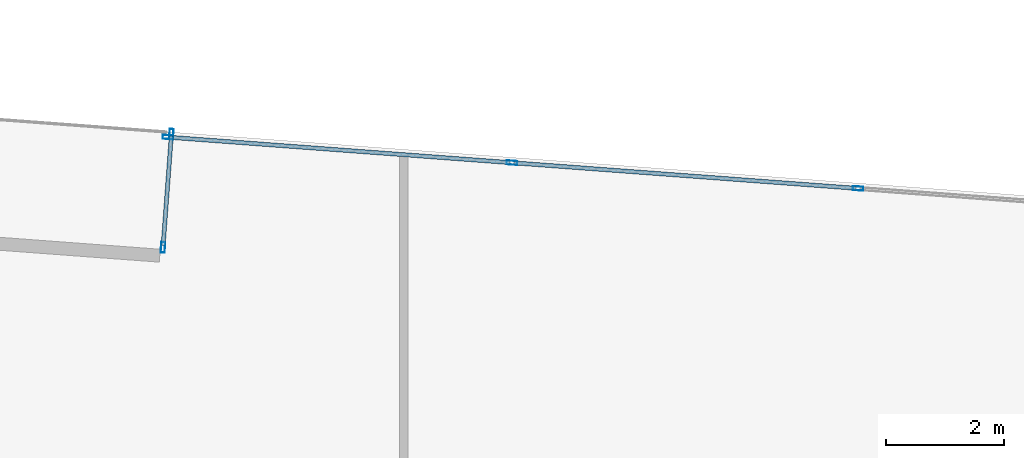
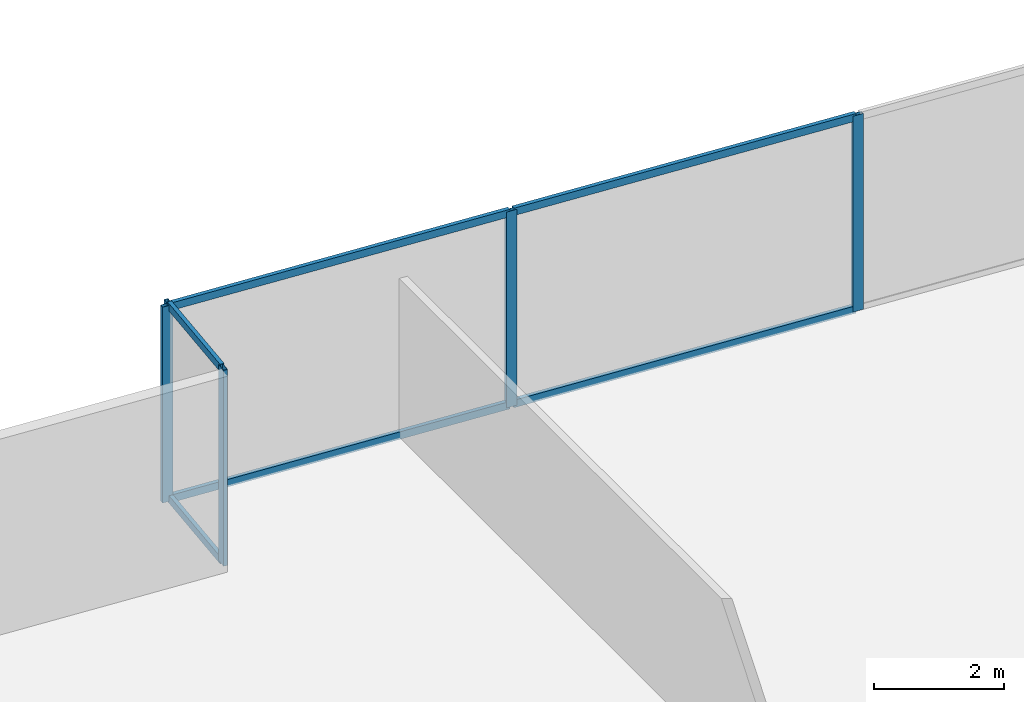
# One storey, part 23 of 30: 11 members, 2 elements without a shape of their own.
"""IFC4 building model written with IfcOpenShell, lengths in metres."""

from ifc_helpers import new_model, si_unit, direction, frame, origin, origin_2d, place, context, subcontext, project, spatial, hollow_rectangle, extrude, source, transform, mapped, material, material_profile, profile_set, type_object, type_shapes, element, aggregate, save


model = new_model("IFC4")

# Units and contexts
model_context = context("Model", 3, precision=1e-05, world=origin(), true_north=direction((0.0, 1.0)))
body_context = subcontext(model_context, "Body", "Model", "MODEL_VIEW")
ifc_project = project(units=[si_unit("LENGTHUNIT", "METRE"), si_unit("AREAUNIT", "SQUARE_METRE"), si_unit("VOLUMEUNIT", "CUBIC_METRE"), si_unit("PLANEANGLEUNIT", "RADIAN"), si_unit("MASSUNIT", "GRAM", prefix="KILO")], contexts=[model_context])

# Site, building, storey
site_placement = place(None, origin())
site = spatial("IfcSite", under=ifc_project, at=site_placement, CompositionType="ELEMENT")
building_placement = place(site_placement, origin())
building = spatial("IfcBuilding", under=site, at=building_placement, Name="Krantzveldt Concourse Tower", CompositionType="ELEMENT")
storey_placement = place(building_placement, frame((0.0, 0.0, 48.699951171875)))
storey = spatial("IfcBuildingStorey", under=building, at=storey_placement, Name="L11", CompositionType="ELEMENT", Elevation=48.699951171875)

# Curtain wall, members
ifc_material = material(Name="Anodised aluminium 6063-T6", Category="aluminium")
curtain_wall_type_1 = type_object("IfcCurtainWallType", Name="CW2", PredefinedType="USERDEFINED", material=ifc_material)
curtain_wall_1_placement = place(storey_placement, origin())
curtain_wall_1 = element("IfcCurtainWall", 1, at=curtain_wall_1_placement, inside=storey, type_object=curtain_wall_type_1, Name="CW-L11-F10", ObjectType="UNITISED CURTAIN WALL", PredefinedType="USERDEFINED")
ifc_material_profile_1 = material_profile(ifc_material, hollow_rectangle(XDim=0.070068359375, YDim=0.179931640625, WallThickness=0.0048828125, at=origin_2d()), Name="Anodised aluminium 6063-T6", Category="aluminium")
ifc_profile_set_1 = profile_set([ifc_material_profile_1], Name="Anodised aluminium 6063-T6 - ALU-MULL 180x70x5")
member_type_1 = type_object("IfcMemberType", Name="CW-MUL-180", PredefinedType="MULLION", material=ifc_profile_set_1)
shared_shape_1 = source(origin(), body_context, "Body", "SweptSolid", [
    extrude(hollow_rectangle(XDim=0.070068359375, YDim=0.179931640625, WallThickness=0.0048828125, at=origin_2d()), origin(), (0.0, 0.0, 1.0), 3.670166015625),
])
type_shapes(member_type_1, [shared_shape_1])
member_1_placement = place(storey_placement, frame((53.403076171875, 50.385498046875, 0.0), z_axis=(0.0, 0.0, 1.0), x_axis=(-0.074108467464, -0.997250186789, 0.0)))
member_1 = element("IfcMember", 2, at=member_1_placement, type_object=member_type_1, Name="CW-Z12 mullion 2", PredefinedType="MULLION", context=body_context, shape_type="MappedRepresentation", body=[
    mapped(shared_shape_1, transform((0.0, 0.0, 0.0), x_axis=(1.0, 0.0, 0.0), y_axis=(0.0, 1.0, 0.0), z_axis=(0.0, 0.0, 1.0), scale=1.0)),
])
member_2_placement = place(storey_placement, frame((47.519287109375, 50.82275390625, 0.0), z_axis=(0.0, 0.0, 1.0), x_axis=(-0.074108467464, -0.997250186789, 0.0)))
member_2 = element("IfcMember", 3, at=member_2_placement, type_object=member_type_1, Name="CW-Z12 mullion 3", PredefinedType="MULLION", context=body_context, shape_type="MappedRepresentation", body=[
    mapped(shared_shape_1, transform((0.0, 0.0, 0.0), x_axis=(1.0, 0.0, 0.0), y_axis=(0.0, 1.0, 0.0), z_axis=(0.0, 0.0, 1.0), scale=1.0)),
])
member_3_placement = place(storey_placement, frame((41.67041015625, 51.25732421875, 0.0), z_axis=(0.0, 0.0, 1.0), x_axis=(-0.074108467464, -0.997250186789, 0.0)))
member_3 = element("IfcMember", 4, at=member_3_placement, type_object=member_type_1, Name="CW-Z12 mullion 4", PredefinedType="MULLION", context=body_context, shape_type="MappedRepresentation", body=[
    mapped(shared_shape_1, transform((0.0, 0.0, 0.0), x_axis=(1.0, 0.0, 0.0), y_axis=(0.0, 1.0, 0.0), z_axis=(0.0, 0.0, 1.0), scale=1.0)),
])

curtain_wall_type_2 = type_object("IfcCurtainWallType", Name="CW6", PredefinedType="USERDEFINED", material=ifc_material)
curtain_wall_2_placement = place(storey_placement, origin())
curtain_wall_2 = element("IfcCurtainWall", 5, at=curtain_wall_2_placement, inside=storey, type_object=curtain_wall_type_2, Name="CW-L11-TR11", ObjectType="UNITISED CURTAIN WALL", PredefinedType="USERDEFINED")
member_4_placement = place(storey_placement, frame((41.7294921875, 51.30810546875, 0.0), z_axis=(0.0, 0.0, 1.0), x_axis=(0.997250442019, -0.074105032841, 0.0)))
member_4 = element("IfcMember", 6, at=member_4_placement, type_object=member_type_1, Name="CW-TERR mullion 1", PredefinedType="MULLION", context=body_context, shape_type="MappedRepresentation", body=[
    mapped(shared_shape_1, transform((0.0, 0.0, 0.0), x_axis=(1.0, 0.0, 0.0), y_axis=(0.0, 1.0, 0.0), z_axis=(0.0, 0.0, 1.0), scale=1.0)),
])
member_5_placement = place(storey_placement, frame((41.58642578125, 49.38330078125, 0.0), z_axis=(0.0, 0.0, 1.0), x_axis=(0.997250442019, -0.074105032841, 0.0)))
member_5 = element("IfcMember", 7, at=member_5_placement, type_object=member_type_1, Name="CW-TERR mullion 2", PredefinedType="MULLION", context=body_context, shape_type="MappedRepresentation", body=[
    mapped(shared_shape_1, transform((0.0, 0.0, 0.0), x_axis=(1.0, 0.0, 0.0), y_axis=(0.0, 1.0, 0.0), z_axis=(0.0, 0.0, 1.0), scale=1.0)),
])

# Member
ifc_material_profile_2 = material_profile(ifc_material, hollow_rectangle(XDim=0.070068359375, YDim=0.139892578125, WallThickness=0.0048828125, at=origin_2d()), Name="Anodised aluminium 6063-T6", Category="aluminium")
ifc_profile_set_2 = profile_set([ifc_material_profile_2], Name="Anodised aluminium 6063-T6 - ALU-TRAN 140x70x5")
member_type_2 = type_object("IfcMemberType", Name="CW-TRN-150", PredefinedType="USERDEFINED", material=ifc_profile_set_2)
shared_shape_2 = source(origin(), body_context, "Body", "SweptSolid", [
    extrude(hollow_rectangle(XDim=0.070068359375, YDim=0.139892578125, WallThickness=0.0048828125, at=origin_2d()), origin(), (0.0, 0.0, 1.0), 5.794921875),
])
member_6_placement = place(storey_placement, frame((47.484375, 50.8251953125, 0.03515625), z_axis=(-0.997250369291, 0.074106011558, 0.0), x_axis=(-0.074106011558, -0.997250369291, 0.0)))
member_6 = element("IfcMember", 8, at=member_6_placement, type_object=member_type_2, Name="CW-Z12 transom 3.1", ObjectType="TRANSOM", PredefinedType="USERDEFINED", context=body_context, shape_type="MappedRepresentation", body=[
    mapped(shared_shape_2, transform((0.0, 0.0, 0.0), x_axis=(1.0, 0.0, 0.0), y_axis=(0.0, 1.0, 0.0), z_axis=(0.0, 0.0, 1.0), scale=1.0)),
])

member_7_placement = place(storey_placement, frame((47.484375, 50.8251953125, 3.635009765625), z_axis=(-0.997250369291, 0.074106011558, 0.0), x_axis=(-0.074106011558, -0.997250369291, 0.0)))
member_7 = element("IfcMember", 9, at=member_7_placement, type_object=member_type_2, Name="CW-Z12 transom 3.2", ObjectType="TRANSOM", PredefinedType="USERDEFINED", context=body_context, shape_type="MappedRepresentation", body=[
    mapped(shared_shape_2, transform((0.0, 0.0, 0.0), x_axis=(1.0, 0.0, 0.0), y_axis=(0.0, 1.0, 0.0), z_axis=(0.0, 0.0, 1.0), scale=1.0)),
])

shared_shape_3 = source(origin(), body_context, "Body", "SweptSolid", [
    extrude(hollow_rectangle(XDim=0.070068359375, YDim=0.139892578125, WallThickness=0.0048828125, at=origin_2d()), origin(), (0.0, 0.0, 1.0), 5.830078125),
])
member_8_placement = place(storey_placement, frame((53.3681640625, 50.387939453125, 0.03515625), z_axis=(-0.997249212895, 0.074121571631, 0.0), x_axis=(-0.074121571631, -0.997249212895, 0.0)))
member_8 = element("IfcMember", 10, at=member_8_placement, type_object=member_type_2, Name="CW-Z12 transom 2.1", ObjectType="TRANSOM", PredefinedType="USERDEFINED", context=body_context, shape_type="MappedRepresentation", body=[
    mapped(shared_shape_3, transform((0.0, 0.0, 0.0), x_axis=(1.0, 0.0, 0.0), y_axis=(0.0, 1.0, 0.0), z_axis=(0.0, 0.0, 1.0), scale=1.0)),
])

member_9_placement = place(storey_placement, frame((53.3681640625, 50.387939453125, 3.635009765625), z_axis=(-0.997249212895, 0.074121571631, 0.0), x_axis=(-0.074121571631, -0.997249212895, 0.0)))
member_9 = element("IfcMember", 11, at=member_9_placement, type_object=member_type_2, Name="CW-Z12 transom 2.2", ObjectType="TRANSOM", PredefinedType="USERDEFINED", context=body_context, shape_type="MappedRepresentation", body=[
    mapped(shared_shape_3, transform((0.0, 0.0, 0.0), x_axis=(1.0, 0.0, 0.0), y_axis=(0.0, 1.0, 0.0), z_axis=(0.0, 0.0, 1.0), scale=1.0)),
])

aggregate(curtain_wall_1, [member_1, member_2, member_3, member_8, member_9, member_6, member_7])

shared_shape_4 = source(origin(), body_context, "Body", "SweptSolid", [
    extrude(hollow_rectangle(XDim=0.070068359375, YDim=0.139892578125, WallThickness=0.0048828125, at=origin_2d()), origin(), (0.0, 0.0, 1.0), 1.860107421875),
])
type_shapes(member_type_2, [shared_shape_2, shared_shape_3, shared_shape_4])
member_10_placement = place(storey_placement, frame((41.726806640625, 51.273193359375, 0.03515625), z_axis=(-0.074156925542, -0.997246584549, 0.0), x_axis=(0.997246584549, -0.074156925542, 0.0)))
member_10 = element("IfcMember", 12, at=member_10_placement, type_object=member_type_2, Name="CW-TERR transom 1.1", ObjectType="TRANSOM", PredefinedType="USERDEFINED", context=body_context, shape_type="MappedRepresentation", body=[
    mapped(shared_shape_4, transform((0.0, 0.0, 0.0), x_axis=(1.0, 0.0, 0.0), y_axis=(0.0, 1.0, 0.0), z_axis=(0.0, 0.0, 1.0), scale=1.0)),
])

member_11_placement = place(storey_placement, frame((41.726806640625, 51.273193359375, 3.635009765625), z_axis=(-0.074156925542, -0.997246584549, 0.0), x_axis=(0.997246584549, -0.074156925542, 0.0)))
member_11 = element("IfcMember", 13, at=member_11_placement, type_object=member_type_2, Name="CW-TERR transom 1.2", ObjectType="TRANSOM", PredefinedType="USERDEFINED", context=body_context, shape_type="MappedRepresentation", body=[
    mapped(shared_shape_4, transform((0.0, 0.0, 0.0), x_axis=(1.0, 0.0, 0.0), y_axis=(0.0, 1.0, 0.0), z_axis=(0.0, 0.0, 1.0), scale=1.0)),
])

aggregate(curtain_wall_2, [member_4, member_5, member_10, member_11])

save(model, "model.ifc")
